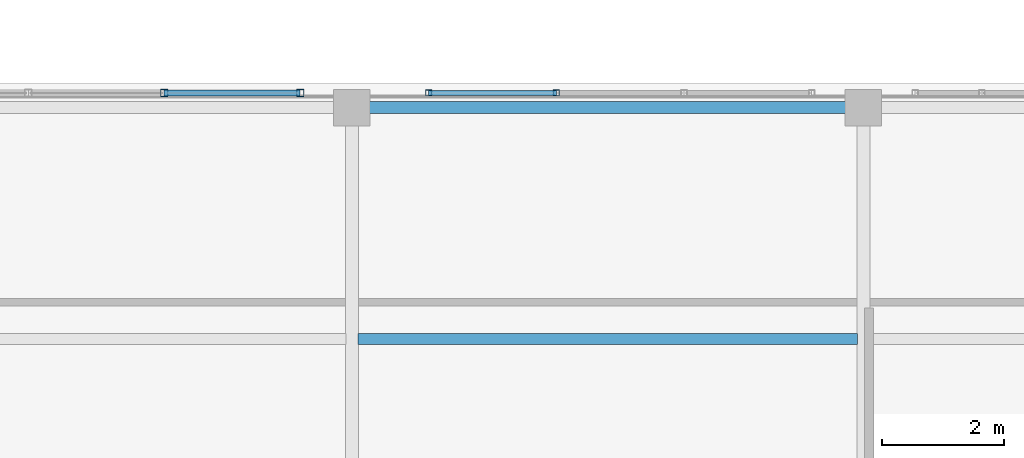
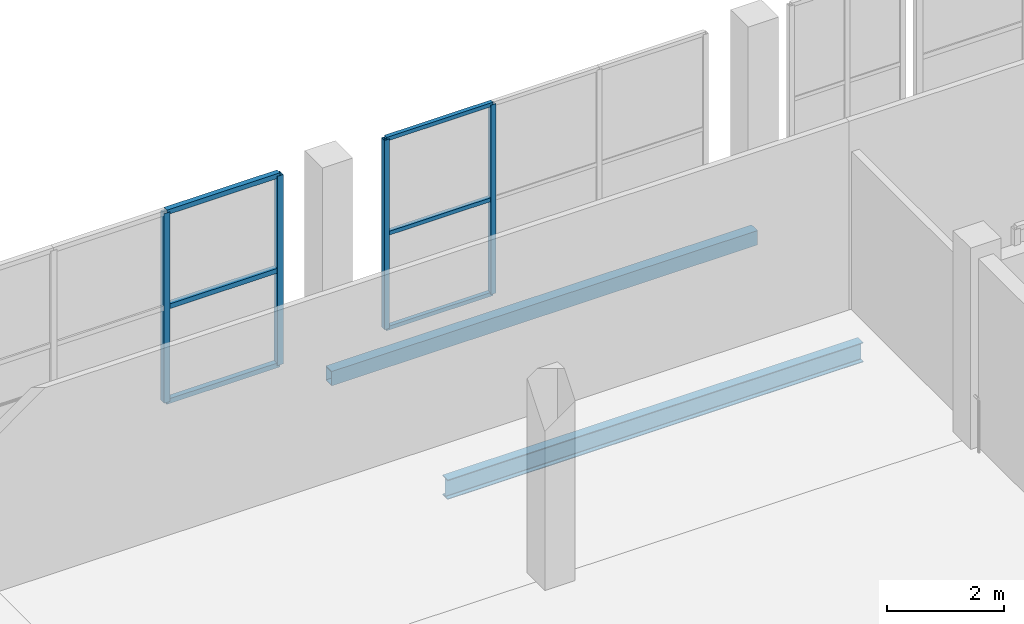
# One storey, part 41 of 217: 10 members, 2 beams, 2 elements without a shape of their own.
"""IFC4 building model written with IfcOpenShell, lengths in metres."""

from ifc_helpers import new_model, si_unit, direction, frame, origin, origin_2d, place, context, subcontext, project, spatial, hollow_rectangle, i_section, extrude, material, material_profile, profile_set, type_object, element, aggregate, save


model = new_model("IFC4")

# Units and contexts
model_context = context("Model", 3, precision=1e-05, world=origin(), true_north=direction((0.0, 1.0)))
body_context = subcontext(model_context, "Body", "Model", "MODEL_VIEW")
ifc_project = project(units=[si_unit("LENGTHUNIT", "METRE"), si_unit("AREAUNIT", "SQUARE_METRE"), si_unit("VOLUMEUNIT", "CUBIC_METRE"), si_unit("PLANEANGLEUNIT", "RADIAN"), si_unit("MASSUNIT", "GRAM", prefix="KILO")], contexts=[model_context])

# Site, building, storey
site_placement = place(None, origin())
site = spatial("IfcSite", under=ifc_project, at=site_placement, CompositionType="ELEMENT")
building_placement = place(site_placement, origin())
building = spatial("IfcBuilding", under=site, at=building_placement, Name="Zuvorla Pavilion Media Centre", CompositionType="ELEMENT")
storey_placement = place(building_placement, frame((0.0, 0.0, 9.60009765625)))
storey = spatial("IfcBuildingStorey", under=building, at=storey_placement, Name="L02", CompositionType="ELEMENT", Elevation=9.60009765625)

# Beams
ifc_material_1 = material(Name="Steel S355", Category="steel")
ifc_material_profile_1 = material_profile(ifc_material_1, hollow_rectangle(XDim=0.199951171875, YDim=0.300048828125, WallThickness=0.012451171875, at=origin_2d()), Name="RHS 300x200x12.5")
ifc_profile_set_1 = profile_set([ifc_material_profile_1], Name="Steel S355")
beam_type_1 = type_object("IfcBeamType", Name="BM-SP-RHS300", PredefinedType="SPANDREL", material=ifc_profile_set_1)
beam_1_placement = place(storey_placement, frame((100.39990234375, 51.60009765625, -0.418212890625), z_axis=(1.0, 0.0, 0.0), x_axis=(0.0, 1.0, 0.0)))
element("IfcBeam", 1, at=beam_1_placement, inside=storey, type_object=beam_type_1, Name="L02 spandrel SP01 845", PredefinedType="SPANDREL", context=body_context, shape_type="SweptSolid", body=[
    extrude(hollow_rectangle(XDim=0.199951171875, YDim=0.300048828125, WallThickness=0.012451171875, at=origin_2d()), origin(), (0.0, 0.0, 1.0), 8.400146484375),
])
ifc_material_profile_2 = material_profile(ifc_material_1, i_section(OverallWidth=0.1787109375, OverallDepth=0.409423828125, WebThickness=0.0087890625, FlangeThickness=0.014404296875, FilletRadius=0.01025390625, at=origin_2d()), Name="UB 406x178x67")
ifc_profile_set_2 = profile_set([ifc_material_profile_2], Name="Steel S355")
beam_type_2 = type_object("IfcBeamType", Name="BM-UB406", PredefinedType="JOIST", material=ifc_profile_set_2)
beam_2_placement = place(storey_placement, frame((100.5, 47.800048828125, -0.472900390625), z_axis=(1.0, 0.0, 0.0), x_axis=(0.0, 1.0, 0.0)))
element("IfcBeam", 2, at=beam_2_placement, inside=storey, type_object=beam_type_2, Name="L02 joist J02 1028", PredefinedType="JOIST", context=body_context, shape_type="SweptSolid", body=[
    extrude(i_section(OverallWidth=0.1787109375, OverallDepth=0.409423828125, WebThickness=0.0087890625, FlangeThickness=0.014404296875, FilletRadius=0.01025390625, at=origin_2d()), origin(), (0.0, 0.0, 1.0), 8.199951171875),
])

# Curtain wall, members
ifc_material_2 = material(Name="Unitised anodised aluminium and solar glass curtain wall", Category="aluminium")
curtain_wall_type_1 = type_object("IfcCurtainWallType", Name="CW-SYS-39", PredefinedType="USERDEFINED", material=ifc_material_2)
curtain_wall_1_placement = place(storey_placement, origin())
curtain_wall_1 = element("IfcCurtainWall", 3, at=curtain_wall_1_placement, inside=storey, type_object=curtain_wall_type_1, Name="L02 curtain wall CW39 71", ObjectType="CURTAIN WALL", PredefinedType="USERDEFINED")
ifc_material_3 = material(Name="Anodised aluminium 6063-T6", Category="aluminium")
ifc_material_profile_3 = material_profile(ifc_material_3, hollow_rectangle(XDim=0.10009765625, YDim=0.10009765625, WallThickness=0.00439453125, at=origin_2d()), Name="ALU MULL 100x100")
ifc_profile_set_3 = profile_set([ifc_material_profile_3], Name="Anodised aluminium 6063-T6")
member_type_1 = type_object("IfcMemberType", Name="CW-MULL-100", PredefinedType="MULLION", material=ifc_profile_set_3)
member_1_placement = place(storey_placement, frame((101.659912109375, 51.840087890625, 0.0), z_axis=(0.0, 0.0, 1.0), x_axis=(1.0, 0.0, 0.0)))
member_1 = element("IfcMember", 4, at=member_1_placement, type_object=member_type_1, Name="CW39 mullion 1", PredefinedType="MULLION", context=body_context, shape_type="SweptSolid", body=[
    extrude(hollow_rectangle(XDim=0.10009765625, YDim=0.10009765625, WallThickness=0.00439453125, at=origin_2d()), origin(), (0.0, 0.0, 1.0), 3.949951171875),
])
member_2_placement = place(storey_placement, frame((103.756591796875, 51.840087890625, 0.0), z_axis=(0.0, 0.0, 1.0), x_axis=(1.0, 0.0, 0.0)))
member_2 = element("IfcMember", 5, at=member_2_placement, type_object=member_type_1, Name="CW39 mullion 2", PredefinedType="MULLION", context=body_context, shape_type="SweptSolid", body=[
    extrude(hollow_rectangle(XDim=0.10009765625, YDim=0.10009765625, WallThickness=0.00439453125, at=origin_2d()), origin(), (0.0, 0.0, 1.0), 3.949951171875),
])

curtain_wall_type_2 = type_object("IfcCurtainWallType", Name="CW-SYS-48", PredefinedType="USERDEFINED", material=ifc_material_2)
curtain_wall_2_placement = place(storey_placement, origin())
curtain_wall_2 = element("IfcCurtainWall", 6, at=curtain_wall_2_placement, inside=storey, type_object=curtain_wall_type_2, Name="L02 curtain wall CW48 69", ObjectType="CURTAIN WALL", PredefinedType="USERDEFINED")
ifc_material_profile_4 = material_profile(ifc_material_3, hollow_rectangle(XDim=0.1201171875, YDim=0.1201171875, WallThickness=0.0048828125, at=origin_2d()), Name="ALU MULL 120x120")
ifc_profile_set_4 = profile_set([ifc_material_profile_4], Name="Anodised aluminium 6063-T6")
member_type_2 = type_object("IfcMemberType", Name="CW-MULL-120", PredefinedType="MULLION", material=ifc_profile_set_4)
member_3_placement = place(storey_placement, frame((97.316650390625, 51.840087890625, 0.0), z_axis=(0.0, 0.0, 1.0), x_axis=(1.0, 0.0, 0.0)))
member_3 = element("IfcMember", 7, at=member_3_placement, type_object=member_type_2, Name="CW48 mullion 3", PredefinedType="MULLION", context=body_context, shape_type="SweptSolid", body=[
    extrude(hollow_rectangle(XDim=0.1201171875, YDim=0.1201171875, WallThickness=0.0048828125, at=origin_2d()), origin(), (0.0, 0.0, 1.0), 3.949951171875),
])
member_4_placement = place(storey_placement, frame((99.5498046875, 51.840087890625, 0.0), z_axis=(0.0, 0.0, 1.0), x_axis=(1.0, 0.0, 0.0)))
member_4 = element("IfcMember", 8, at=member_4_placement, type_object=member_type_2, Name="CW48 mullion 4", PredefinedType="MULLION", context=body_context, shape_type="SweptSolid", body=[
    extrude(hollow_rectangle(XDim=0.1201171875, YDim=0.1201171875, WallThickness=0.0048828125, at=origin_2d()), origin(), (0.0, 0.0, 1.0), 3.949951171875),
])
ifc_material_profile_5 = material_profile(ifc_material_3, hollow_rectangle(XDim=0.10009765625, YDim=0.10009765625, WallThickness=0.00439453125, at=origin_2d()), Name="ALU TRAN 100x100")
ifc_profile_set_5 = profile_set([ifc_material_profile_5], Name="Anodised aluminium 6063-T6")
member_type_3 = type_object("IfcMemberType", Name="CW-TRAN-100", PredefinedType="USERDEFINED", material=ifc_profile_set_5)
member_5_placement = place(storey_placement, frame((97.316650390625, 51.840087890625, 0.0), z_axis=(1.0, 0.0, 0.0), x_axis=(0.0, 1.0, 0.0)))
member_5 = element("IfcMember", 9, at=member_5_placement, type_object=member_type_3, Name="CW48 transom 3.1", ObjectType="TRANSOM", PredefinedType="USERDEFINED", context=body_context, shape_type="SweptSolid", body=[
    extrude(hollow_rectangle(XDim=0.10009765625, YDim=0.10009765625, WallThickness=0.00439453125, at=origin_2d()), origin(), (0.0, 0.0, 1.0), 2.233154296875),
])
member_6_placement = place(storey_placement, frame((97.316650390625, 51.840087890625, 1.974853515625), z_axis=(1.0, 0.0, 0.0), x_axis=(0.0, 1.0, 0.0)))
member_6 = element("IfcMember", 10, at=member_6_placement, type_object=member_type_3, Name="CW48 transom 3.2", ObjectType="TRANSOM", PredefinedType="USERDEFINED", context=body_context, shape_type="SweptSolid", body=[
    extrude(hollow_rectangle(XDim=0.10009765625, YDim=0.10009765625, WallThickness=0.00439453125, at=origin_2d()), origin(), (0.0, 0.0, 1.0), 2.233154296875),
])
member_7_placement = place(storey_placement, frame((97.316650390625, 51.840087890625, 3.949951171875), z_axis=(1.0, 0.0, 0.0), x_axis=(0.0, 1.0, 0.0)))
member_7 = element("IfcMember", 11, at=member_7_placement, type_object=member_type_3, Name="CW48 transom 3.3", ObjectType="TRANSOM", PredefinedType="USERDEFINED", context=body_context, shape_type="SweptSolid", body=[
    extrude(hollow_rectangle(XDim=0.10009765625, YDim=0.10009765625, WallThickness=0.00439453125, at=origin_2d()), origin(), (0.0, 0.0, 1.0), 2.233154296875),
])
aggregate(curtain_wall_2, [member_3, member_4, member_5, member_6, member_7])

# Member
ifc_material_profile_6 = material_profile(ifc_material_3, hollow_rectangle(XDim=0.080078125, YDim=0.080078125, WallThickness=0.00390625, at=origin_2d()), Name="ALU TRAN 80x80")
ifc_profile_set_6 = profile_set([ifc_material_profile_6], Name="Anodised aluminium 6063-T6")
member_type_4 = type_object("IfcMemberType", Name="CW-TRAN-80", PredefinedType="USERDEFINED", material=ifc_profile_set_6)
member_8_placement = place(storey_placement, frame((101.659912109375, 51.840087890625, 0.0), z_axis=(1.0, 0.0, 0.0), x_axis=(0.0, 1.0, 0.0)))
member_8 = element("IfcMember", 12, at=member_8_placement, type_object=member_type_4, Name="CW39 transom 1.1", ObjectType="TRANSOM", PredefinedType="USERDEFINED", context=body_context, shape_type="SweptSolid", body=[
    extrude(hollow_rectangle(XDim=0.080078125, YDim=0.080078125, WallThickness=0.00390625, at=origin_2d()), origin(), (0.0, 0.0, 1.0), 2.0966796875),
])

member_9_placement = place(storey_placement, frame((101.659912109375, 51.840087890625, 1.974853515625), z_axis=(1.0, 0.0, 0.0), x_axis=(0.0, 1.0, 0.0)))
member_9 = element("IfcMember", 13, at=member_9_placement, type_object=member_type_4, Name="CW39 transom 1.2", ObjectType="TRANSOM", PredefinedType="USERDEFINED", context=body_context, shape_type="SweptSolid", body=[
    extrude(hollow_rectangle(XDim=0.080078125, YDim=0.080078125, WallThickness=0.00390625, at=origin_2d()), origin(), (0.0, 0.0, 1.0), 2.0966796875),
])

member_10_placement = place(storey_placement, frame((101.659912109375, 51.840087890625, 3.949951171875), z_axis=(1.0, 0.0, 0.0), x_axis=(0.0, 1.0, 0.0)))
member_10 = element("IfcMember", 14, at=member_10_placement, type_object=member_type_4, Name="CW39 transom 1.3", ObjectType="TRANSOM", PredefinedType="USERDEFINED", context=body_context, shape_type="SweptSolid", body=[
    extrude(hollow_rectangle(XDim=0.080078125, YDim=0.080078125, WallThickness=0.00390625, at=origin_2d()), origin(), (0.0, 0.0, 1.0), 2.0966796875),
])

aggregate(curtain_wall_1, [member_1, member_2, member_8, member_9, member_10])

save(model, "model.ifc")
